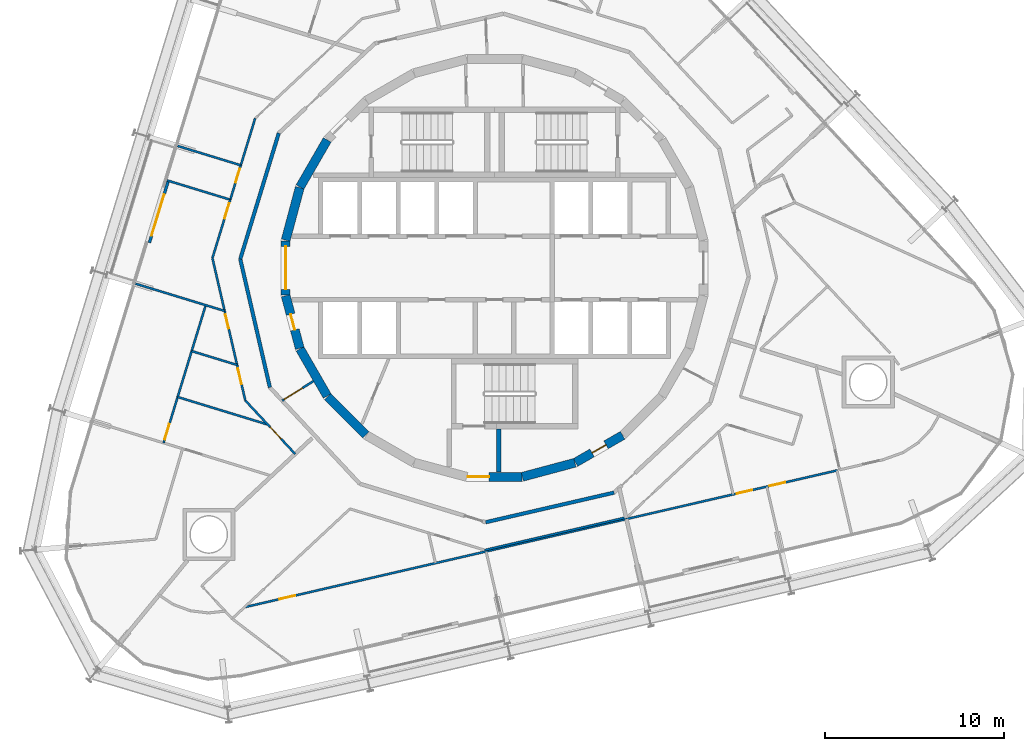
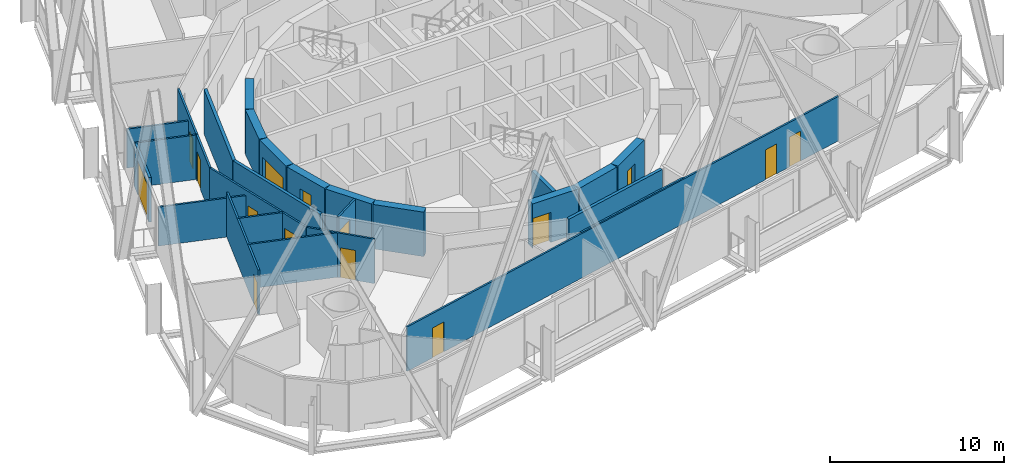
# One storey, part 12 of 18: 27 walls, 15 doors, 15 openings.
"""IFC4 building model written with IfcOpenShell, lengths in metres."""

from ifc_helpers import new_model, si_unit, direction, frame, frame_2d, origin, place, context, subcontext, project, spatial, rectangle, extrude, material, layer, layer_set, type_object, element, fill, save


model = new_model("IFC4")

# Units and contexts
model_context = context("Model", 3, precision=1e-05, world=origin(), true_north=direction((0.0, 1.0)))
body_context = subcontext(model_context, "Body", "Model", "MODEL_VIEW")
ifc_project = project(units=[si_unit("LENGTHUNIT", "METRE"), si_unit("AREAUNIT", "SQUARE_METRE"), si_unit("VOLUMEUNIT", "CUBIC_METRE"), si_unit("PLANEANGLEUNIT", "RADIAN"), si_unit("MASSUNIT", "GRAM", prefix="KILO")], contexts=[model_context])

# Site, building, storey
site_placement = place(None, origin())
site = spatial("IfcSite", under=ifc_project, at=site_placement, CompositionType="ELEMENT")
building_placement = place(site_placement, origin())
building = spatial("IfcBuilding", under=site, at=building_placement, Name="Spindle Arch Residences", CompositionType="ELEMENT")
storey_placement = place(building_placement, frame((0.0, 0.0, 127.39990234375)))
storey = spatial("IfcBuildingStorey", under=building, at=storey_placement, Name="L31", CompositionType="ELEMENT", Elevation=127.39990234375)

# Wall
ifc_material_1 = material(Name="Concrete C50/60", Category="concrete")
ifc_layer_1 = layer(ifc_material_1, 0.5)
ifc_layer_set_1 = layer_set([ifc_layer_1], Name="Core outline wall 500")
wall_type_1 = type_object("IfcWallType", Name="Core outline wall 500", PredefinedType="SHEAR", material=ifc_layer_set_1)
wall_1_placement = place(storey_placement, frame((1.5498046875, -11.642822265625, 0.0), z_axis=(0.0, 0.0, 1.0), x_axis=(0.965948410781, 0.258734743916, 0.0)))
element("IfcWall", 1, at=wall_1_placement, inside=storey, type_object=wall_type_1, Name="Core outline wall 1", PredefinedType="SHEAR", context=body_context, shape_type="SweptSolid", body=[
    extrude(rectangle(XDim=3.03271484375, YDim=0.5, at=frame_2d((1.516357421875, 0.0))), origin(), (0.0, 0.0, 1.0), 3.1201171875),
])

# Wall, opening, door
wall_2_placement = place(storey_placement, frame((4.510498046875, -10.84521484375, 0.0), z_axis=(0.0, 0.0, 1.0), x_axis=(0.865975092491, 0.500087131594, 0.0)))
wall_2 = element("IfcWall", 2, at=wall_2_placement, inside=storey, type_object=wall_type_1, Name="Core outline wall 2", PredefinedType="SHEAR", context=body_context, shape_type="SweptSolid", body=[
    extrude(rectangle(XDim=3.03271484375, YDim=0.5, at=frame_2d((1.516357421875, 0.0))), origin(), (0.0, 0.0, 1.0), 3.1201171875),
])
opening_1_placement = place(wall_2_placement, frame((1.06640625, 0.0, 0.0)))
opening_1 = element("IfcOpeningElement", 3, at=opening_1_placement, cuts=wall_2, Name="Opening R3B0-WD09", PredefinedType="OPENING", context=body_context, shape_type="SweptSolid", body=[
    extrude(rectangle(XDim=0.89990234375, YDim=2.10009765625, at=frame_2d((0.449951171875, 1.050048828125))), frame((0.0, 0.260009765625, 0.0), z_axis=(0.0, -1.0, 0.0), x_axis=(1.0, 0.0, 0.0)), (0.0, 0.0, 1.0), 0.52001953125),
])
ifc_material_2 = material(Name="Steel, fire-resisting door", Category="steel")
door_type_1 = type_object("IfcDoorType", Name="Service room door 900x2100", OperationType="SINGLE_SWING_LEFT", PredefinedType="DOOR", material=ifc_material_2)
door_1_placement = place(opening_1_placement, origin())
door_1 = element("IfcDoor", 4, at=door_1_placement, inside=storey, type_object=door_type_1, Name="Service room door R3B0-WD09", OperationType="SINGLE_SWING_RIGHT", OverallHeight=2.10009765625, OverallWidth=0.89990234375, PredefinedType="DOOR", context=body_context, shape_type="SweptSolid", body=[
    extrude(rectangle(XDim=0.89990234375, YDim=2.10009765625, at=frame_2d((0.449951171875, 1.050048828125))), frame((0.0, 0.02490234375, 0.0), z_axis=(0.0, -1.0, 0.0), x_axis=(1.0, 0.0, 0.0)), (0.0, 0.0, 1.0), 0.050048828125),
])
fill(opening_1, door_1)

# Walls
for number, where, z_axis, x_axis, name in (
    (5, (-9.32861328125, 7.13671875, 0.0), (0.0, 0.0, 1.0), (-0.500087131594, -0.865975092491, 0.0), "Core outline wall 16"),
    (6, (-10.858154296875, 4.479248046875, 0.0), (0.0, 0.0, 1.0), (-0.258734743916, -0.965948410781, 0.0), "Core outline wall 17"),
):
    element("IfcWall", number, at=place(storey_placement, frame(where, z_axis=z_axis, x_axis=x_axis)), inside=storey, type_object=wall_type_1, Name=name, PredefinedType="SHEAR", context=body_context, shape_type="SweptSolid", body=[
        extrude(rectangle(XDim=3.03271484375, YDim=0.5, at=frame_2d((1.516357421875, 0.0))), origin(), (0.0, 0.0, 1.0), 3.1201171875),
    ])

# Wall, opening, door
wall_3_placement = place(storey_placement, frame((-11.647216796875, 1.516357421875, 0.0), z_axis=(0.0, 0.0, 1.0), x_axis=(0.0, -1.0, 0.0)))
wall_3 = element("IfcWall", 7, at=wall_3_placement, inside=storey, type_object=wall_type_1, Name="Core outline wall 18", PredefinedType="SHEAR", context=body_context, shape_type="SweptSolid", body=[
    extrude(rectangle(XDim=3.03271484375, YDim=0.5, at=frame_2d((1.516357421875, 0.0))), origin(), (0.0, 0.0, 1.0), 3.1201171875),
])
opening_2_placement = place(wall_3_placement, frame((0.31640625, 0.0, 0.0)))
opening_2 = element("IfcOpeningElement", 8, at=opening_2_placement, cuts=wall_3, Name="Opening R3B0-LE01", PredefinedType="OPENING", context=body_context, shape_type="SweptSolid", body=[
    extrude(rectangle(XDim=2.39990234375, YDim=2.10009765625, at=frame_2d((1.199951171875, 1.050048828125))), frame((0.0, 0.260009765625, 0.0), z_axis=(0.0, -1.0, 0.0), x_axis=(1.0, 0.0, 0.0)), (0.0, 0.0, 1.0), 0.52001953125),
])
ifc_material_3 = material(Name="Steel, fire-resisting door", Category="steel")
door_type_2 = type_object("IfcDoorType", Name="Lift lobby entrance door 2400x2100", OperationType="DOUBLE_DOOR_SINGLE_SWING", PredefinedType="DOOR", material=ifc_material_3)
door_2_placement = place(opening_2_placement, origin())
door_2 = element("IfcDoor", 9, at=door_2_placement, inside=storey, type_object=door_type_2, Name="Lift lobby entrance door R3B0-LE01", OperationType="DOUBLE_DOOR_SINGLE_SWING", OverallHeight=2.10009765625, OverallWidth=2.39990234375, PredefinedType="DOOR", context=body_context, shape_type="SweptSolid", body=[
    extrude(rectangle(XDim=2.39990234375, YDim=2.10009765625, at=frame_2d((1.199951171875, 1.050048828125))), frame((0.0, 0.02490234375, 0.0), z_axis=(0.0, -1.0, 0.0), x_axis=(1.0, 0.0, 0.0)), (0.0, 0.0, 1.0), 0.050048828125),
])
fill(opening_2, door_2)

wall_4_placement = place(storey_placement, frame((-11.642822265625, -1.5498046875, 0.0), z_axis=(0.0, 0.0, 1.0), x_axis=(0.258734743916, -0.965948410781, 0.0)))
wall_4 = element("IfcWall", 10, at=wall_4_placement, inside=storey, type_object=wall_type_1, Name="Core outline wall 19", PredefinedType="SHEAR", context=body_context, shape_type="SweptSolid", body=[
    extrude(rectangle(XDim=3.03271484375, YDim=0.5, at=frame_2d((1.516357421875, 0.0))), origin(), (0.0, 0.0, 1.0), 3.1201171875),
])
opening_3_placement = place(wall_4_placement, frame((1.06640625, 0.0, 0.0)))
opening_3 = element("IfcOpeningElement", 11, at=opening_3_placement, cuts=wall_4, Name="Opening R3B0-WD10", PredefinedType="OPENING", context=body_context, shape_type="SweptSolid", body=[
    extrude(rectangle(XDim=0.89990234375, YDim=2.10009765625, at=frame_2d((0.449951171875, 1.050048828125))), frame((0.0, 0.260009765625, 0.0), z_axis=(0.0, -1.0, 0.0), x_axis=(1.0, 0.0, 0.0)), (0.0, 0.0, 1.0), 0.52001953125),
])
door_3_placement = place(opening_3_placement, origin())
door_3 = element("IfcDoor", 12, at=door_3_placement, inside=storey, type_object=door_type_1, Name="Service room door R3B0-WD10", OperationType="SINGLE_SWING_LEFT", OverallHeight=2.10009765625, OverallWidth=0.89990234375, PredefinedType="DOOR", context=body_context, shape_type="SweptSolid", body=[
    extrude(rectangle(XDim=0.89990234375, YDim=2.10009765625, at=frame_2d((0.449951171875, 1.050048828125))), frame((0.0, 0.02490234375, 0.0), z_axis=(0.0, -1.0, 0.0), x_axis=(1.0, 0.0, 0.0)), (0.0, 0.0, 1.0), 0.050048828125),
])
fill(opening_3, door_3)

# Walls
wall_5_placement = place(storey_placement, frame((-10.84521484375, -4.510498046875, 0.0), z_axis=(0.0, 0.0, 1.0), x_axis=(0.500087131594, -0.865975092491, 0.0)))
element("IfcWall", 13, at=wall_5_placement, inside=storey, type_object=wall_type_1, Name="Core outline wall 20", PredefinedType="SHEAR", context=body_context, shape_type="SweptSolid", body=[
    extrude(rectangle(XDim=3.03271484375, YDim=0.5, at=frame_2d((1.516357421875, 0.0))), origin(), (0.0, 0.0, 1.0), 3.1201171875),
])
wall_6_placement = place(storey_placement, frame((-9.30810546875, -7.163818359375, 0.0), z_axis=(0.0, 0.0, 1.0), x_axis=(0.707106781187, -0.707106781187, 0.0)))
element("IfcWall", 14, at=wall_6_placement, inside=storey, type_object=wall_type_1, Name="Core outline wall 21", PredefinedType="SHEAR", context=body_context, shape_type="SweptSolid", body=[
    extrude(rectangle(XDim=3.032470703125, YDim=0.5, at=frame_2d((1.51611328125, 0.0))), origin(), (0.0, 0.0, 1.0), 3.1201171875),
])

# Wall, opening, door
wall_7_placement = place(storey_placement, frame((-1.516357421875, -11.647216796875, 0.0), z_axis=(0.0, 0.0, 1.0), x_axis=(1.0, 0.0, 0.0)))
wall_7 = element("IfcWall", 15, at=wall_7_placement, inside=storey, type_object=wall_type_1, Name="Core outline wall 24", PredefinedType="SHEAR", context=body_context, shape_type="SweptSolid", body=[
    extrude(rectangle(XDim=3.03271484375, YDim=0.5, at=frame_2d((1.516357421875, 0.0))), origin(), (0.0, 0.0, 1.0), 3.1201171875),
])
opening_4_placement = place(wall_7_placement, frame((0.016357421875, 0.0, 0.0)))
opening_4 = element("IfcOpeningElement", 16, at=opening_4_placement, cuts=wall_7, Name="Opening R3B0-AD03", PredefinedType="OPENING", context=body_context, shape_type="SweptSolid", body=[
    extrude(rectangle(XDim=1.199951171875, YDim=2.10009765625, at=frame_2d((0.60009765625, 1.050048828125))), frame((0.0, 0.260009765625, 0.0), z_axis=(0.0, -1.0, 0.0), x_axis=(1.0, 0.0, 0.0)), (0.0, 0.0, 1.0), 0.52001953125),
])
ifc_material_4 = material(Name="Steel, fire-resisting door", Category="steel")
door_type_3 = type_object("IfcDoorType", Name="Stair airlock door 1200x2100", OperationType="SINGLE_SWING_LEFT", PredefinedType="DOOR", material=ifc_material_4)
door_4_placement = place(opening_4_placement, origin())
door_4 = element("IfcDoor", 17, at=door_4_placement, inside=storey, type_object=door_type_3, Name="Stair airlock door R3B0-AD03", OperationType="SINGLE_SWING_RIGHT", OverallHeight=2.10009765625, OverallWidth=1.199951171875, PredefinedType="DOOR", context=body_context, shape_type="SweptSolid", body=[
    extrude(rectangle(XDim=1.199951171875, YDim=2.10009765625, at=frame_2d((0.60009765625, 1.050048828125))), frame((0.0, 0.02490234375, 0.0), z_axis=(0.0, -1.0, 0.0), x_axis=(1.0, 0.0, 0.0)), (0.0, 0.0, 1.0), 0.050048828125),
])
fill(opening_4, door_4)

ifc_material_5 = material(Name="Plasterboard on steel studs", Category="steel")
ifc_layer_2 = layer(ifc_material_5, 0.1201171875)
ifc_layer_set_2 = layer_set([ifc_layer_2], Name="Corridor division wall 120")
wall_type_2 = type_object("IfcWallType", Name="Corridor division wall 120", PredefinedType="PARTITIONING", material=ifc_layer_set_2)
wall_8_placement = place(storey_placement, frame((-11.835693359375, -7.395751953125, 0.0), z_axis=(0.0, 0.0, 1.0), x_axis=(0.848071831599, 0.529881277692, 0.0)))
wall_8 = element("IfcWall", 18, at=wall_8_placement, inside=storey, type_object=wall_type_2, Name="Corridor division wall R3B0-W003", PredefinedType="PARTITIONING", context=body_context, shape_type="SweptSolid", body=[
    extrude(rectangle(XDim=2.0517578125, YDim=0.1201171875, at=frame_2d((1.02587890625, 0.0))), origin(), (0.0, 0.0, 1.0), 3.1201171875),
])
opening_5_placement = place(wall_8_placement, frame((0.125, 0.0, 0.0)))
opening_5 = element("IfcOpeningElement", 19, at=opening_5_placement, cuts=wall_8, Name="Opening R3B0-CD03", PredefinedType="OPENING", context=body_context, shape_type="SweptSolid", body=[
    extrude(rectangle(XDim=1.199951171875, YDim=2.10009765625, at=frame_2d((0.60009765625, 1.050048828125))), frame((0.0, 0.070068359375, 0.0), z_axis=(0.0, -1.0, 0.0), x_axis=(1.0, 0.0, 0.0)), (0.0, 0.0, 1.0), 0.14013671875),
])
ifc_material_6 = material(Name="Steel, fire-resisting door", Category="steel")
door_type_4 = type_object("IfcDoorType", Name="Corridor division door 1200x2100", OperationType="NOTDEFINED", PredefinedType="DOOR", material=ifc_material_6)
door_5_placement = place(opening_5_placement, origin())
door_5 = element("IfcDoor", 20, at=door_5_placement, inside=storey, type_object=door_type_4, Name="Corridor division door R3B0-CD03", OperationType="DOUBLE_DOOR_SINGLE_SWING", OverallHeight=2.10009765625, OverallWidth=1.199951171875, PredefinedType="DOOR", context=body_context, shape_type="SweptSolid", body=[
    extrude(rectangle(XDim=1.199951171875, YDim=2.10009765625, at=frame_2d((0.60009765625, 1.050048828125))), frame((0.0, 0.02490234375, 0.0), z_axis=(0.0, -1.0, 0.0), x_axis=(1.0, 0.0, 0.0)), (0.0, 0.0, 1.0), 0.050048828125),
])
fill(opening_5, door_5)

# Walls
ifc_material_7 = material(Name="Calcium silicate block, plastered")
ifc_layer_3 = layer(ifc_material_7, 0.199951171875)
ifc_layer_set_3 = layer_set([ifc_layer_3], Name="Corridor wall 200")
wall_type_3 = type_object("IfcWallType", Name="Corridor wall 200", PredefinedType="STANDARD", material=ifc_layer_set_3)
wall_9_placement = place(storey_placement, frame((-12.028076171875, 7.51611328125, 0.0), z_axis=(0.0, 0.0, 1.0), x_axis=(-0.292365533182, -0.956306642771, 0.0)))
element("IfcWall", 21, at=wall_9_placement, inside=storey, type_object=wall_type_3, Name="Corridor wall R3B0-W010", PredefinedType="STANDARD", context=body_context, shape_type="SweptSolid", body=[
    extrude(rectangle(XDim=7.341796875, YDim=0.199951171875, at=frame_2d((3.6708984375, 0.0))), origin(), (0.0, 0.0, 1.0), 3.1201171875),
])
for number, where, z_axis, x_axis, name in (
    (22, (-14.174560546875, 0.4951171875, 0.0), (0.0, 0.0, 1.0), (0.224922649383, -0.974376622151, 0.0), "Corridor wall R3B0-W011"),
    (23, (-0.4951171875, -14.174560546875, 0.0), (0.0, 0.0, 1.0), (0.974376622151, 0.224922649383, 0.0), "Corridor wall R3B0-W014"),
):
    element("IfcWall", number, at=place(storey_placement, frame(where, z_axis=z_axis, x_axis=x_axis)), inside=storey, type_object=wall_type_3, Name=name, PredefinedType="STANDARD", context=body_context, shape_type="SweptSolid", body=[
        extrude(rectangle(XDim=7.342041015625, YDim=0.199951171875, at=frame_2d((3.6708984375, 0.0))), origin(), (0.0, 0.0, 1.0), 3.1201171875),
    ])

# Wall, opening, door
ifc_material_8 = material(Name="Plasterboard on steel studs", Category="steel")
ifc_layer_4 = layer(ifc_material_8, 0.1201171875)
ifc_layer_set_4 = layer_set([ifc_layer_4], Name="Flat partition 120")
wall_type_4 = type_object("IfcWallType", Name="Flat partition 120", PredefinedType="PARTITIONING", material=ifc_layer_set_4)
wall_10_placement = place(storey_placement, frame((-13.34521484375, 8.3388671875, 0.0), z_axis=(0.0, 0.0, 1.0), x_axis=(-0.292341490839, -0.956313992752, 0.0)))
wall_10 = element("IfcWall", 24, at=wall_10_placement, inside=storey, type_object=wall_type_4, Name="Flat partition R3B0-W058", PredefinedType="PARTITIONING", context=body_context, shape_type="SweptSolid", body=[
    extrude(rectangle(XDim=4.74169921875, YDim=0.1201171875, at=frame_2d((2.370849609375, 0.0))), origin(), (0.0, 0.0, 1.0), 3.1201171875),
])
opening_6_placement = place(wall_10_placement, frame((2.9345703125, 0.0, 0.0)))
opening_6 = element("IfcOpeningElement", 25, at=opening_6_placement, cuts=wall_10, Name="Opening R3B0-BD03", PredefinedType="OPENING", context=body_context, shape_type="SweptSolid", body=[
    extrude(rectangle(XDim=0.800048828125, YDim=2.10009765625, at=frame_2d((0.39990234375, 1.050048828125))), frame((0.0, 0.070068359375, 0.0), z_axis=(0.0, -1.0, 0.0), x_axis=(1.0, 0.0, 0.0)), (0.0, 0.0, 1.0), 0.14013671875),
])
ifc_material_9 = material(Name="Timber door set", Category="wood")
door_type_5 = type_object("IfcDoorType", Name="Bathroom door 800x2100", OperationType="NOTDEFINED", PredefinedType="DOOR", material=ifc_material_9)
door_6_placement = place(opening_6_placement, origin())
door_6 = element("IfcDoor", 26, at=door_6_placement, inside=storey, type_object=door_type_5, Name="Bathroom door R3B0-BD03", OperationType="SINGLE_SWING_LEFT", OverallHeight=2.10009765625, OverallWidth=0.800048828125, PredefinedType="DOOR", context=body_context, shape_type="SweptSolid", body=[
    extrude(rectangle(XDim=0.800048828125, YDim=2.10009765625, at=frame_2d((0.39990234375, 1.050048828125))), frame((0.0, 0.02490234375, 0.0), z_axis=(0.0, -1.0, 0.0), x_axis=(1.0, 0.0, 0.0)), (0.0, 0.0, 1.0), 0.050048828125),
])
fill(opening_6, door_6)

wall_11_placement = place(storey_placement, frame((-14.7314453125, 3.80419921875, 0.0), z_axis=(0.0, 0.0, 1.0), x_axis=(-0.292371609919, -0.956304784947, 0.0)))
wall_11 = element("IfcWall", 27, at=wall_11_placement, inside=storey, type_object=wall_type_4, Name="Flat partition R3B0-W059", PredefinedType="PARTITIONING", context=body_context, shape_type="SweptSolid", body=[
    extrude(rectangle(XDim=3.403564453125, YDim=0.1201171875, at=frame_2d((1.70166015625, 0.0))), origin(), (0.0, 0.0, 1.0), 3.1201171875),
])
opening_7_placement = place(wall_11_placement, frame((0.199951171875, 0.0, 0.0)))
opening_7 = element("IfcOpeningElement", 28, at=opening_7_placement, cuts=wall_11, Name="Opening R3B0-ID13", PredefinedType="OPENING", context=body_context, shape_type="SweptSolid", body=[
    extrude(rectangle(XDim=0.89990234375, YDim=2.10009765625, at=frame_2d((0.449951171875, 1.050048828125))), frame((0.0, 0.070068359375, 0.0), z_axis=(0.0, -1.0, 0.0), x_axis=(1.0, 0.0, 0.0)), (0.0, 0.0, 1.0), 0.14013671875),
])
ifc_material_10 = material(Name="Timber door set", Category="wood")
door_type_6 = type_object("IfcDoorType", Name="Room door 900x2100", OperationType="NOTDEFINED", PredefinedType="DOOR", material=ifc_material_10)
door_7_placement = place(opening_7_placement, origin())
door_7 = element("IfcDoor", 29, at=door_7_placement, inside=storey, type_object=door_type_6, Name="Room door R3B0-ID13", OperationType="SINGLE_SWING_RIGHT", OverallHeight=2.10009765625, OverallWidth=0.89990234375, PredefinedType="DOOR", context=body_context, shape_type="SweptSolid", body=[
    extrude(rectangle(XDim=0.89990234375, YDim=2.10009765625, at=frame_2d((0.449951171875, 1.050048828125))), frame((0.0, 0.02490234375, 0.0), z_axis=(0.0, -1.0, 0.0), x_axis=(1.0, 0.0, 0.0)), (0.0, 0.0, 1.0), 0.050048828125),
])
fill(opening_7, door_7)

# Wall, openings, doors
wall_12_placement = place(storey_placement, frame((-15.7265625, 0.54931640625, 0.0), z_axis=(0.0, 0.0, 1.0), x_axis=(0.22493611855, -0.974373512864, 0.0)))
wall_12 = element("IfcWall", 30, at=wall_12_placement, inside=storey, type_object=wall_type_4, Name="Flat partition R3B0-W060", PredefinedType="PARTITIONING", context=body_context, shape_type="SweptSolid", body=[
    extrude(rectangle(XDim=8.145751953125, YDim=0.1201171875, at=frame_2d((4.07275390625, 0.0))), origin(), (0.0, 0.0, 1.0), 3.1201171875),
])
opening_8_placement = place(wall_12_placement, frame((3.22314453125, 0.0, 0.0)))
opening_8 = element("IfcOpeningElement", 31, at=opening_8_placement, cuts=wall_12, Name="Opening R3B0-BD04", PredefinedType="OPENING", context=body_context, shape_type="SweptSolid", body=[
    extrude(rectangle(XDim=0.800048828125, YDim=2.10009765625, at=frame_2d((0.39990234375, 1.050048828125))), frame((0.0, 0.070068359375, 0.0), z_axis=(0.0, -1.0, 0.0), x_axis=(1.0, 0.0, 0.0)), (0.0, 0.0, 1.0), 0.14013671875),
])
opening_9_placement = place(wall_12_placement, frame((6.313720703125, 0.0, 0.0)))
opening_9 = element("IfcOpeningElement", 32, at=opening_9_placement, cuts=wall_12, Name="Opening R3B0-ID14", PredefinedType="OPENING", context=body_context, shape_type="SweptSolid", body=[
    extrude(rectangle(XDim=0.89990234375, YDim=2.10009765625, at=frame_2d((0.449951171875, 1.050048828125))), frame((0.0, 0.070068359375, 0.0), z_axis=(0.0, -1.0, 0.0), x_axis=(1.0, 0.0, 0.0)), (0.0, 0.0, 1.0), 0.14013671875),
])
door_8_placement = place(opening_8_placement, origin())
door_8 = element("IfcDoor", 33, at=door_8_placement, inside=storey, type_object=door_type_5, Name="Bathroom door R3B0-BD04", OperationType="SINGLE_SWING_RIGHT", OverallHeight=2.10009765625, OverallWidth=0.800048828125, PredefinedType="DOOR", context=body_context, shape_type="SweptSolid", body=[
    extrude(rectangle(XDim=0.800048828125, YDim=2.10009765625, at=frame_2d((0.39990234375, 1.050048828125))), frame((0.0, 0.02490234375, 0.0), z_axis=(0.0, -1.0, 0.0), x_axis=(1.0, 0.0, 0.0)), (0.0, 0.0, 1.0), 0.050048828125),
])
fill(opening_8, door_8)
door_9_placement = place(opening_9_placement, origin())
door_9 = element("IfcDoor", 34, at=door_9_placement, inside=storey, type_object=door_type_6, Name="Room door R3B0-ID14", OperationType="SINGLE_SWING_RIGHT", OverallHeight=2.10009765625, OverallWidth=0.89990234375, PredefinedType="DOOR", context=body_context, shape_type="SweptSolid", body=[
    extrude(rectangle(XDim=0.89990234375, YDim=2.10009765625, at=frame_2d((0.449951171875, 1.050048828125))), frame((0.0, 0.02490234375, 0.0), z_axis=(0.0, -1.0, 0.0), x_axis=(1.0, 0.0, 0.0)), (0.0, 0.0, 1.0), 0.050048828125),
])
fill(opening_9, door_9)

# Wall, opening, door
wall_13_placement = place(storey_placement, frame((-13.894287109375, -7.3876953125, 0.0), z_axis=(0.0, 0.0, 1.0), x_axis=(0.681978591143, -0.731372135935, 0.0)))
wall_13 = element("IfcWall", 35, at=wall_13_placement, inside=storey, type_object=wall_type_4, Name="Flat partition R3B0-W061", PredefinedType="PARTITIONING", context=body_context, shape_type="SweptSolid", body=[
    extrude(rectangle(XDim=4.07275390625, YDim=0.1201171875, at=frame_2d((2.036376953125, 0.0))), origin(), (0.0, 0.0, 1.0), 3.1201171875),
])
opening_10_placement = place(wall_13_placement, frame((2.033203125, 0.0, 0.0)))
opening_10 = element("IfcOpeningElement", 36, at=opening_10_placement, cuts=wall_13, Name="Opening R3B0-ID15", PredefinedType="OPENING", context=body_context, shape_type="SweptSolid", body=[
    extrude(rectangle(XDim=0.89990234375, YDim=2.10009765625, at=frame_2d((0.449951171875, 1.050048828125))), frame((0.0, 0.070068359375, 0.0), z_axis=(0.0, -1.0, 0.0), x_axis=(1.0, 0.0, 0.0)), (0.0, 0.0, 1.0), 0.14013671875),
])
door_10_placement = place(opening_10_placement, origin())
door_10 = element("IfcDoor", 37, at=door_10_placement, inside=storey, type_object=door_type_6, Name="Room door R3B0-ID15", OperationType="SINGLE_SWING_RIGHT", OverallHeight=2.10009765625, OverallWidth=0.89990234375, PredefinedType="DOOR", context=body_context, shape_type="SweptSolid", body=[
    extrude(rectangle(XDim=0.89990234375, YDim=2.10009765625, at=frame_2d((0.449951171875, 1.050048828125))), frame((0.0, 0.02490234375, 0.0), z_axis=(0.0, -1.0, 0.0), x_axis=(1.0, 0.0, 0.0)), (0.0, 0.0, 1.0), 0.050048828125),
])
fill(opening_10, door_10)

# Wall
wall_14_placement = place(storey_placement, frame((-14.7314453125, 3.80419921875, 0.0), z_axis=(0.0, 0.0, 1.0), x_axis=(-0.956303802771, 0.292374822456, 0.0)))
element("IfcWall", 38, at=wall_14_placement, inside=storey, type_object=wall_type_4, Name="Flat partition R3B0-W064", PredefinedType="PARTITIONING", context=body_context, shape_type="SweptSolid", body=[
    extrude(rectangle(XDim=3.69091796875, YDim=0.1201171875, at=frame_2d((1.845458984375, 0.0))), origin(), (0.0, 0.0, 1.0), 3.1201171875),
])

# Wall, opening, door
wall_15_placement = place(storey_placement, frame((-18.4482421875, -9.75244140625, 0.0), z_axis=(0.0, 0.0, 1.0), x_axis=(0.292365310779, 0.956306710764, 0.0)))
wall_15 = element("IfcWall", 39, at=wall_15_placement, inside=storey, type_object=wall_type_4, Name="Flat partition R3B0-W066", PredefinedType="PARTITIONING", context=body_context, shape_type="SweptSolid", body=[
    extrude(rectangle(XDim=8.029052734375, YDim=0.1201171875, at=frame_2d((4.0146484375, 0.0))), origin(), (0.0, 0.0, 1.0), 3.1201171875),
])
opening_11_placement = place(wall_15_placement, frame((0.199951171875, 0.0, 0.0)))
opening_11 = element("IfcOpeningElement", 40, at=opening_11_placement, cuts=wall_15, Name="Opening R3B0-ID16", PredefinedType="OPENING", context=body_context, shape_type="SweptSolid", body=[
    extrude(rectangle(XDim=0.89990234375, YDim=2.10009765625, at=frame_2d((0.449951171875, 1.050048828125))), frame((0.0, 0.070068359375, 0.0), z_axis=(0.0, -1.0, 0.0), x_axis=(1.0, 0.0, 0.0)), (0.0, 0.0, 1.0), 0.14013671875),
])
door_11_placement = place(opening_11_placement, origin())
door_11 = element("IfcDoor", 41, at=door_11_placement, inside=storey, type_object=door_type_6, Name="Room door R3B0-ID16", OperationType="SINGLE_SWING_RIGHT", OverallHeight=2.10009765625, OverallWidth=0.89990234375, PredefinedType="DOOR", context=body_context, shape_type="SweptSolid", body=[
    extrude(rectangle(XDim=0.89990234375, YDim=2.10009765625, at=frame_2d((0.449951171875, 1.050048828125))), frame((0.0, 0.02490234375, 0.0), z_axis=(0.0, -1.0, 0.0), x_axis=(1.0, 0.0, 0.0)), (0.0, 0.0, 1.0), 0.050048828125),
])
fill(opening_11, door_11)

# Walls
wall_16_placement = place(storey_placement, frame((-16.88330078125, -4.633544921875, 0.0), z_axis=(0.0, 0.0, 1.0), x_axis=(0.956297869455, -0.292394228526, 0.0)))
element("IfcWall", 42, at=wall_16_placement, inside=storey, type_object=wall_type_4, Name="Flat partition R3B0-W068", PredefinedType="PARTITIONING", context=body_context, shape_type="SweptSolid", body=[
    extrude(rectangle(XDim=2.647705078125, YDim=0.1201171875, at=frame_2d((1.32373046875, 0.0))), origin(), (0.0, 0.0, 1.0), 3.1201171875),
])
wall_17_placement = place(storey_placement, frame((-17.665771484375, -7.193115234375, 0.0), z_axis=(0.0, 0.0, 1.0), x_axis=(0.956299223218, -0.292389800905, 0.0)))
element("IfcWall", 43, at=wall_17_placement, inside=storey, type_object=wall_type_4, Name="Flat partition R3B0-W069", PredefinedType="PARTITIONING", context=body_context, shape_type="SweptSolid", body=[
    extrude(rectangle(XDim=5.251220703125, YDim=0.1201171875, at=frame_2d((2.62548828125, 0.0))), origin(), (0.0, 0.0, 1.0), 3.1201171875),
])
wall_18_placement = place(storey_placement, frame((-0.54931640625, -15.7265625, 0.0), z_axis=(0.0, 0.0, 1.0), x_axis=(0.97436829548, 0.224958717908, 0.0)))
element("IfcWall", 44, at=wall_18_placement, inside=storey, type_object=wall_type_4, Name="Flat partition R3B0-W076", PredefinedType="PARTITIONING", context=body_context, shape_type="SweptSolid", body=[
    extrude(rectangle(XDim=8.08740234375, YDim=0.1201171875, at=frame_2d((4.043701171875, 0.0))), origin(), (0.0, 0.0, 1.0), 3.1201171875),
])

# Wall, openings, doors
wall_19_placement = place(storey_placement, frame((-13.938720703125, -18.9111328125, 0.0), z_axis=(0.0, 0.0, 1.0), x_axis=(0.974369607456, 0.224953035245, 0.0)))
wall_19 = element("IfcWall", 45, at=wall_19_placement, inside=storey, type_object=wall_type_4, Name="Flat partition R3B0-W082", PredefinedType="PARTITIONING", context=body_context, shape_type="SweptSolid", body=[
    extrude(rectangle(XDim=33.933837890625, YDim=0.1201171875, at=frame_2d((16.966796875, 0.0))), origin(), (0.0, 0.0, 1.0), 3.1201171875),
])
opening_12_placement = place(wall_19_placement, frame((2.0, 0.0, 0.0)))
opening_12 = element("IfcOpeningElement", 46, at=opening_12_placement, cuts=wall_19, Name="Opening R3B0-ID21", PredefinedType="OPENING", context=body_context, shape_type="SweptSolid", body=[
    extrude(rectangle(XDim=0.89990234375, YDim=2.10009765625, at=frame_2d((0.449951171875, 1.050048828125))), frame((0.0, 0.070068359375, 0.0), z_axis=(0.0, -1.0, 0.0), x_axis=(1.0, 0.0, 0.0)), (0.0, 0.0, 1.0), 0.14013671875),
])
opening_13_placement = place(wall_19_placement, frame((28.153564453125, 0.0, 0.0)))
opening_13 = element("IfcOpeningElement", 47, at=opening_13_placement, cuts=wall_19, Name="Opening R3B0-ID25", PredefinedType="OPENING", context=body_context, shape_type="SweptSolid", body=[
    extrude(rectangle(XDim=0.89990234375, YDim=2.10009765625, at=frame_2d((0.449951171875, 1.050048828125))), frame((0.0, 0.070068359375, 0.0), z_axis=(0.0, -1.0, 0.0), x_axis=(1.0, 0.0, 0.0)), (0.0, 0.0, 1.0), 0.14013671875),
])
opening_14_placement = place(wall_19_placement, frame((30.039306640625, 0.0, 0.0)))
opening_14 = element("IfcOpeningElement", 48, at=opening_14_placement, cuts=wall_19, Name="Opening R3B0-ID26", PredefinedType="OPENING", context=body_context, shape_type="SweptSolid", body=[
    extrude(rectangle(XDim=0.89990234375, YDim=2.10009765625, at=frame_2d((0.449951171875, 1.050048828125))), frame((0.0, 0.070068359375, 0.0), z_axis=(0.0, -1.0, 0.0), x_axis=(1.0, 0.0, 0.0)), (0.0, 0.0, 1.0), 0.14013671875),
])
door_12_placement = place(opening_12_placement, origin())
door_12 = element("IfcDoor", 49, at=door_12_placement, inside=storey, type_object=door_type_6, Name="Room door R3B0-ID21", OperationType="SINGLE_SWING_LEFT", OverallHeight=2.10009765625, OverallWidth=0.89990234375, PredefinedType="DOOR", context=body_context, shape_type="SweptSolid", body=[
    extrude(rectangle(XDim=0.89990234375, YDim=2.10009765625, at=frame_2d((0.449951171875, 1.050048828125))), frame((0.0, 0.02490234375, 0.0), z_axis=(0.0, -1.0, 0.0), x_axis=(1.0, 0.0, 0.0)), (0.0, 0.0, 1.0), 0.050048828125),
])
fill(opening_12, door_12)
door_13_placement = place(opening_13_placement, origin())
door_13 = element("IfcDoor", 50, at=door_13_placement, inside=storey, type_object=door_type_6, Name="Room door R3B0-ID25", OperationType="SINGLE_SWING_RIGHT", OverallHeight=2.10009765625, OverallWidth=0.89990234375, PredefinedType="DOOR", context=body_context, shape_type="SweptSolid", body=[
    extrude(rectangle(XDim=0.89990234375, YDim=2.10009765625, at=frame_2d((0.449951171875, 1.050048828125))), frame((0.0, 0.02490234375, 0.0), z_axis=(0.0, -1.0, 0.0), x_axis=(1.0, 0.0, 0.0)), (0.0, 0.0, 1.0), 0.050048828125),
])
fill(opening_13, door_13)
door_14_placement = place(opening_14_placement, origin())
door_14 = element("IfcDoor", 51, at=door_14_placement, inside=storey, type_object=door_type_6, Name="Room door R3B0-ID26", OperationType="SINGLE_SWING_RIGHT", OverallHeight=2.10009765625, OverallWidth=0.89990234375, PredefinedType="DOOR", context=body_context, shape_type="SweptSolid", body=[
    extrude(rectangle(XDim=0.89990234375, YDim=2.10009765625, at=frame_2d((0.449951171875, 1.050048828125))), frame((0.0, 0.02490234375, 0.0), z_axis=(0.0, -1.0, 0.0), x_axis=(1.0, 0.0, 0.0)), (0.0, 0.0, 1.0), 0.050048828125),
])
fill(opening_14, door_14)

# Walls
ifc_material_11 = material(Name="Plasterboard on steel studs", Category="steel")
ifc_layer_5 = layer(ifc_material_11, 0.1201171875)
ifc_layer_set_5 = layer_set([ifc_layer_5], Name="Flat partition 120 under beam 2730")
wall_type_5 = type_object("IfcWallType", Name="Flat partition 120 under beam 2730", PredefinedType="PARTITIONING", material=ifc_layer_set_5)
wall_20_placement = place(storey_placement, frame((-17.67431640625, 6.802978515625, 0.0), z_axis=(0.0, 0.0, 1.0), x_axis=(0.956309456779, -0.292356328604, 0.0)))
element("IfcWall", 52, at=wall_20_placement, inside=storey, type_object=wall_type_5, Name="Flat partition R3B0-W063", PredefinedType="PARTITIONING", context=body_context, shape_type="SweptSolid", body=[
    extrude(rectangle(XDim=3.691162109375, YDim=0.1201171875, at=frame_2d((1.845703125, 0.0))), origin(), (0.0, 0.0, 1.0), 2.72998046875),
])
wall_21_placement = place(storey_placement, frame((-20.021728515625, -0.87548828125, 0.0), z_axis=(0.0, 0.0, 1.0), x_axis=(0.956311126457, -0.292350866963, 0.0)))
element("IfcWall", 53, at=wall_21_placement, inside=storey, type_object=wall_type_5, Name="Flat partition R3B0-W065", PredefinedType="PARTITIONING", context=body_context, shape_type="SweptSolid", body=[
    extrude(rectangle(XDim=5.20263671875, YDim=0.1201171875, at=frame_2d((2.601318359375, 0.0))), origin(), (0.0, 0.0, 1.0), 2.72998046875),
])

# Wall, opening, door
ifc_material_12 = material(Name="Non-combustible mineral wool insulated aluminium faced external wall (K0)", Category="aluminium")
ifc_layer_6 = layer(ifc_material_12, 0.159912109375)
ifc_layer_set_6 = layer_set([ifc_layer_6], Name="Insulated external wall panel 160")
wall_type_6 = type_object("IfcWallType", Name="Insulated external wall panel 160", PredefinedType="STANDARD", material=ifc_layer_set_6)
wall_22_placement = place(storey_placement, frame((-18.20068359375, 4.807373046875, 0.0), z_axis=(0.0, 0.0, 1.0), x_axis=(-0.292356467713, -0.956309414252, 0.0)))
wall_22 = element("IfcWall", 54, at=wall_22_placement, inside=storey, type_object=wall_type_6, Name="External wall L31 bay 15", PredefinedType="STANDARD", context=body_context, shape_type="SweptSolid", body=[
    extrude(rectangle(XDim=3.552490234375, YDim=0.159912109375, at=frame_2d((1.7763671875, 0.0))), origin(), (0.0, 0.0, 1.0), 3.1201171875),
])
opening_15_placement = place(wall_22_placement, frame((0.752197265625, 0.0, 0.0)))
opening_15 = element("IfcOpeningElement", 55, at=opening_15_placement, cuts=wall_22, Name="Opening BD15", PredefinedType="OPENING", context=body_context, shape_type="SweptSolid", body=[
    extrude(rectangle(XDim=2.39990234375, YDim=2.39990234375, at=frame_2d((1.199951171875, 1.199951171875))), frame((0.0, 0.08984375, 0.0), z_axis=(0.0, -1.0, 0.0), x_axis=(1.0, 0.0, 0.0)), (0.0, 0.0, 1.0), 0.179931640625),
])
ifc_material_13 = material(Name="Bronze aluminium frame, tinted double glazing", Category="aluminium")
door_type_7 = type_object("IfcDoorType", Name="Sliding glazed balcony door 2400x2400", OperationType="DOUBLE_DOOR_SLIDING", PredefinedType="DOOR", material=ifc_material_13)
door_15_placement = place(opening_15_placement, origin())
door_15 = element("IfcDoor", 56, at=door_15_placement, inside=storey, type_object=door_type_7, Name="Balcony door BD15", OperationType="DOUBLE_DOOR_SLIDING", OverallHeight=2.39990234375, OverallWidth=2.39990234375, PredefinedType="DOOR", context=body_context, shape_type="SweptSolid", body=[
    extrude(rectangle(XDim=2.39990234375, YDim=2.39990234375, at=frame_2d((1.199951171875, 1.199951171875))), frame((0.0, 0.02490234375, 0.0), z_axis=(0.0, -1.0, 0.0), x_axis=(1.0, 0.0, 0.0)), (0.0, 0.0, 1.0), 0.050048828125),
])
fill(opening_15, door_15)

# Wall
ifc_material_14 = material(Name="Concrete C40/50", Category="concrete")
ifc_layer_7 = layer(ifc_material_14, 0.25)
ifc_layer_set_7 = layer_set([ifc_layer_7], Name="Stair airlock wall 250")
wall_type_7 = type_object("IfcWallType", Name="Stair airlock wall 250", PredefinedType="SHEAR", material=ifc_layer_set_7)
wall_23_placement = place(storey_placement, frame((0.22509765625, -8.969970703125, 0.0), z_axis=(0.0, 0.0, 1.0), x_axis=(0.0, -1.0, 0.0)))
element("IfcWall", 57, at=wall_23_placement, inside=storey, type_object=wall_type_7, Name="Stair ST-3 airlock wall E", PredefinedType="SHEAR", context=body_context, shape_type="SweptSolid", body=[
    extrude(rectangle(XDim=2.409912109375, YDim=0.25, at=frame_2d((1.205078125, 0.0))), origin(), (0.0, 0.0, 1.0), 3.1201171875),
])

save(model, "model.ifc")
